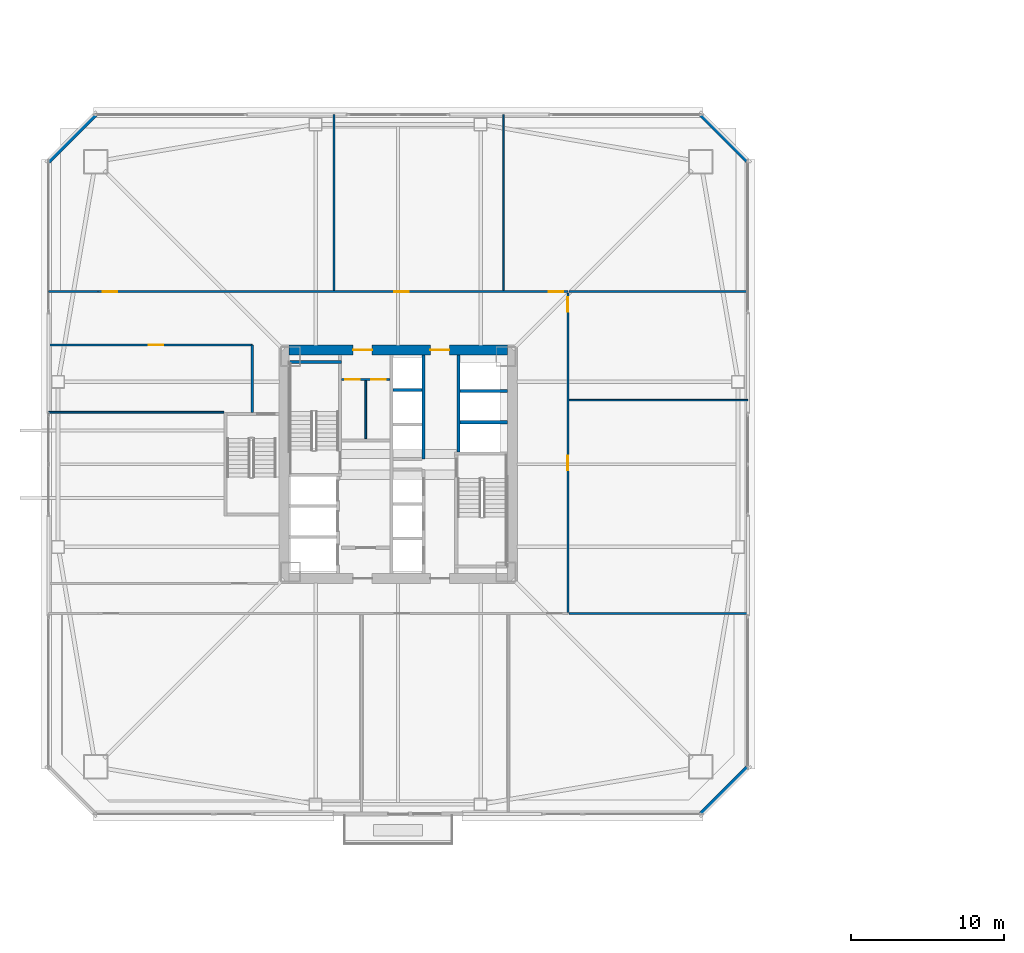
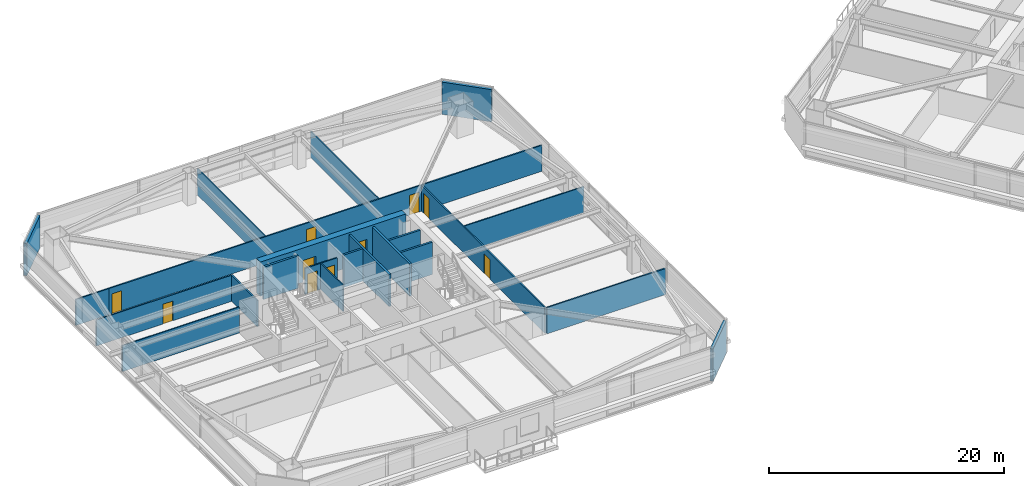
# One storey, part 35 of 46: 23 walls, 10 doors, 10 openings.
"""IFC4 building model written with IfcOpenShell, lengths in metres."""

from ifc_helpers import new_model, si_unit, direction, frame, frame_2d, origin, place, context, subcontext, project, spatial, rectangle, extrude, material, layer, layer_set, type_object, element, fill, save


model = new_model("IFC4")

# Units and contexts
model_context = context("Model", 3, precision=1e-05, world=origin(), true_north=direction((0.0, 1.0)))
body_context = subcontext(model_context, "Body", "Model", "MODEL_VIEW")
ifc_project = project(units=[si_unit("LENGTHUNIT", "METRE"), si_unit("AREAUNIT", "SQUARE_METRE"), si_unit("VOLUMEUNIT", "CUBIC_METRE"), si_unit("PLANEANGLEUNIT", "RADIAN"), si_unit("MASSUNIT", "GRAM", prefix="KILO")], contexts=[model_context])

# Site, building, storey
site_placement = place(None, origin())
site = spatial("IfcSite", under=ifc_project, at=site_placement, CompositionType="ELEMENT")
building_placement = place(site_placement, origin())
building = spatial("IfcBuilding", under=site, at=building_placement, Name="Tashvorn Skyway Center", CompositionType="ELEMENT")
storey_placement = place(building_placement, frame((0.0, 0.0, 38.800048828125)))
storey = spatial("IfcBuildingStorey", under=building, at=storey_placement, Name="L09", CompositionType="ELEMENT", Elevation=38.800048828125)

# Wall, openings, doors
ifc_material_1 = material(Name="Concrete C60/75", Category="concrete")
ifc_layer_1 = layer(ifc_material_1, 0.64990234375)
ifc_layer_set_1 = layer_set([ifc_layer_1], Name="Concrete C60/75")
wall_type_1 = type_object("IfcWallType", Name="WALL-CORE-650", PredefinedType="SHEAR", material=ifc_layer_set_1)
wall_1_placement = place(storey_placement, frame((34.85009765625, 39.47509765625, 0.0), z_axis=(0.0, 0.0, 1.0), x_axis=(1.0, 0.0, 0.0)))
wall_1 = element("IfcWall", 1, at=wall_1_placement, inside=storey, type_object=wall_type_1, Name="Tower 1 L09 North Core Shear Wall", PredefinedType="SHEAR", context=body_context, shape_type="SweptSolid", body=[
    extrude(rectangle(XDim=14.2998046875, YDim=0.64990234375, at=frame_2d((7.14990234375, 0.0))), origin(), (0.0, 0.0, 1.0), 3.550048828125),
])
opening_1_placement = place(wall_1_placement, frame((4.199951171875, 0.0, 0.0)))
opening_1 = element("IfcOpeningElement", 2, at=opening_1_placement, cuts=wall_1, Name="Opening D-FFL-1250", PredefinedType="OPENING", context=body_context, shape_type="SweptSolid", body=[
    extrude(rectangle(XDim=1.25, YDim=2.25, at=frame_2d((0.625, 1.125))), frame((0.0, 0.3349609375, 0.0), z_axis=(0.0, -1.0, 0.0), x_axis=(1.0, 0.0, 0.0)), (0.0, 0.0, 1.0), 0.669921875),
])
opening_2_placement = place(wall_1_placement, frame((9.25, 0.0, 0.0)))
opening_2 = element("IfcOpeningElement", 3, at=opening_2_placement, cuts=wall_1, Name="Opening D-FFL-1250", PredefinedType="OPENING", context=body_context, shape_type="SweptSolid", body=[
    extrude(rectangle(XDim=1.25, YDim=2.25, at=frame_2d((0.625, 1.125))), frame((0.0, 0.3349609375, 0.0), z_axis=(0.0, -1.0, 0.0), x_axis=(1.0, 0.0, 0.0)), (0.0, 0.0, 1.0), 0.669921875),
])
ifc_material_2 = material(Name="Hollow galvanized steel fire door assembly", Category="steel")
door_type_1 = type_object("IfcDoorType", Name="DOOR-FFL-1250", OperationType="NOTDEFINED", PredefinedType="DOOR", material=ifc_material_2)
door_1_placement = place(opening_1_placement, origin())
door_1 = element("IfcDoor", 4, at=door_1_placement, inside=storey, type_object=door_type_1, Name="Tower 1 L09 Core North Service Lobby Door", OperationType="SINGLE_SWING_LEFT", OverallHeight=2.25, OverallWidth=1.25, PredefinedType="DOOR", context=body_context, shape_type="SweptSolid", body=[
    extrude(rectangle(XDim=1.25, YDim=2.25, at=frame_2d((0.625, 1.125))), frame((0.0, 0.02490234375, 0.0), z_axis=(0.0, -1.0, 0.0), x_axis=(1.0, 0.0, 0.0)), (0.0, 0.0, 1.0), 0.050048828125),
])
fill(opening_1, door_1)
door_2_placement = place(opening_2_placement, origin())
door_2 = element("IfcDoor", 5, at=door_2_placement, inside=storey, type_object=door_type_1, Name="Tower 1 L09 Core North Lift Lobby Door", OperationType="SINGLE_SWING_RIGHT", OverallHeight=2.25, OverallWidth=1.25, PredefinedType="DOOR", context=body_context, shape_type="SweptSolid", body=[
    extrude(rectangle(XDim=1.25, YDim=2.25, at=frame_2d((0.625, 1.125))), frame((0.0, 0.02490234375, 0.0), z_axis=(0.0, -1.0, 0.0), x_axis=(1.0, 0.0, 0.0)), (0.0, 0.0, 1.0), 0.050048828125),
])
fill(opening_2, door_2)

# Walls
ifc_material_3 = material(Name="Precast concrete C40/50", Category="concrete")
ifc_layer_2 = layer(ifc_material_3, 0.280029296875)
ifc_layer_set_2 = layer_set([ifc_layer_2], Name="Precast concrete C40/50")
wall_type_2 = type_object("IfcWallType", Name="WALL-EXT-280", PredefinedType="SOLIDWALL", material=ifc_layer_set_2)
for number, where, z_axis, x_axis, name in (
    (6, (19.10009765625, 51.800048828125, 0.0), (0.0, 0.0, 1.0), (0.707106781187, 0.707106781187, 0.0), "Tower 1 L09 NW Precast Chamfer Wall"),
    (7, (61.800048828125, 54.89990234375, 0.0), (0.0, 0.0, 1.0), (0.707106781187, -0.707106781187, 0.0), "Tower 1 L09 NE Precast Chamfer Wall"),
    (8, (64.89990234375, 12.199951171875, 0.0), (0.0, 0.0, 1.0), (-0.707106781187, -0.707106781187, 0.0), "Tower 1 L09 SE Precast Chamfer Wall"),
):
    element("IfcWall", number, at=place(storey_placement, frame(where, z_axis=z_axis, x_axis=x_axis)), inside=storey, type_object=wall_type_2, Name=name, PredefinedType="SOLIDWALL", context=body_context, shape_type="SweptSolid", body=[
        extrude(rectangle(XDim=4.3837890625, YDim=0.280029296875, at=frame_2d((2.19189453125, 0.0))), origin(), (0.0, 0.0, 1.0), 3.349853515625),
    ])
ifc_material_4 = material(Name="Gypsum board on cold-formed steel stud framing", Category="steel")
ifc_layer_3 = layer(ifc_material_4, 0.110107421875)
ifc_layer_set_3 = layer_set([ifc_layer_3], Name="Gypsum board on cold-formed steel stud framing")
wall_type_3 = type_object("IfcWallType", Name="WALL-PART-110", PredefinedType="PARTITIONING", material=ifc_layer_set_3)
for number, where, z_axis, x_axis, name in (
    (9, (37.800048828125, 43.3798828125, 0.0), (0.0, 0.0, 1.0), (0.0, 1.0, 0.0), "Tower 1 L09 North Suite Partition 1"),
    (10, (48.89990234375, 43.3798828125, 0.0), (0.0, 0.0, 1.0), (0.0, 1.0, 0.0), "Tower 1 L09 North Suite Partition 2"),
):
    element("IfcWall", number, at=place(storey_placement, frame(where, z_axis=z_axis, x_axis=x_axis)), inside=storey, type_object=wall_type_3, Name=name, PredefinedType="PARTITIONING", context=body_context, shape_type="SweptSolid", body=[
        extrude(rectangle(XDim=11.5, YDim=0.110107421875, at=frame_2d((5.75, 0.0))), origin(), (0.0, 0.0, 1.0), 2.702880859375),
    ])
wall_2_placement = place(storey_placement, frame((53.179931640625, 36.199951171875, 0.0), z_axis=(0.0, 0.0, 1.0), x_axis=(1.0, 0.0, 0.0)))
element("IfcWall", 11, at=wall_2_placement, inside=storey, type_object=wall_type_3, Name="Tower 1 L09 East Suite Partition 1", PredefinedType="PARTITIONING", context=body_context, shape_type="SweptSolid", body=[
    extrude(rectangle(XDim=11.699951171875, YDim=0.110107421875, at=frame_2d((5.85009765625, 0.0))), origin(), (0.0, 0.0, 1.0), 2.702880859375),
])
wall_3_placement = place(storey_placement, frame((30.60009765625, 35.39990234375, 0.0), z_axis=(0.0, 0.0, 1.0), x_axis=(-1.0, 0.0, 0.0)))
element("IfcWall", 12, at=wall_3_placement, inside=storey, type_object=wall_type_3, Name="Tower 1 L09 West Suite Partition 1", PredefinedType="PARTITIONING", context=body_context, shape_type="SweptSolid", body=[
    extrude(rectangle(XDim=11.47998046875, YDim=0.110107421875, at=frame_2d((5.739990234375, 0.0))), origin(), (0.0, 0.0, 1.0), 2.702880859375),
])
ifc_layer_4 = layer(ifc_material_4, 0.135009765625)
ifc_layer_set_4 = layer_set([ifc_layer_4], Name="Gypsum board on cold-formed steel stud framing")
wall_type_4 = type_object("IfcWallType", Name="WALL-PART-135", PredefinedType="PARTITIONING", material=ifc_layer_set_4)
wall_4_placement = place(storey_placement, frame((32.449951171875, 35.39990234375, 0.0), z_axis=(0.0, 0.0, 1.0), x_axis=(0.0, 1.0, 0.0)))
element("IfcWall", 13, at=wall_4_placement, inside=storey, type_object=wall_type_4, Name="Tower 1 L09 Stair 3 Access Corridor Wall", PredefinedType="PARTITIONING", context=body_context, shape_type="SweptSolid", body=[
    extrude(rectangle(XDim=4.400146484375, YDim=0.135009765625, at=frame_2d((2.2001953125, 0.0))), origin(), (0.0, 0.0, 1.0), 2.702880859375),
])

# Wall, openings, doors
wall_5_placement = place(storey_placement, frame((22.35009765625, 43.300048828125, 0.0), z_axis=(0.0, 0.0, 1.0), x_axis=(1.0, 0.0, 0.0)))
wall_5 = element("IfcWall", 14, at=wall_5_placement, inside=storey, type_object=wall_type_4, Name="Tower 1 L09 North Suite Wall", PredefinedType="PARTITIONING", context=body_context, shape_type="SweptSolid", body=[
    extrude(rectangle(XDim=30.75, YDim=0.135009765625, at=frame_2d((15.375, 0.0))), origin(), (0.0, 0.0, 1.0), 2.702880859375),
])
opening_3_placement = place(wall_5_placement, frame((0.300048828125, 0.0, 0.0)))
opening_3 = element("IfcOpeningElement", 15, at=opening_3_placement, cuts=wall_5, Name="Opening D-INT-950", PredefinedType="OPENING", context=body_context, shape_type="SweptSolid", body=[
    extrude(rectangle(XDim=0.949951171875, YDim=2.050048828125, at=frame_2d((0.47509765625, 1.02490234375))), frame((0.0, 0.077392578125, 0.0), z_axis=(0.0, -1.0, 0.0), x_axis=(1.0, 0.0, 0.0)), (0.0, 0.0, 1.0), 0.155029296875),
])
opening_4_placement = place(wall_5_placement, frame((19.383056640625, 0.0, 0.0)))
opening_4 = element("IfcOpeningElement", 16, at=opening_4_placement, cuts=wall_5, Name="Opening D-INT-950", PredefinedType="OPENING", context=body_context, shape_type="SweptSolid", body=[
    extrude(rectangle(XDim=0.949951171875, YDim=2.050048828125, at=frame_2d((0.47509765625, 1.02490234375))), frame((0.0, 0.077392578125, 0.0), z_axis=(0.0, -1.0, 0.0), x_axis=(1.0, 0.0, 0.0)), (0.0, 0.0, 1.0), 0.155029296875),
])
opening_5_placement = place(wall_5_placement, frame((29.5, 0.0, 0.0)))
opening_5 = element("IfcOpeningElement", 17, at=opening_5_placement, cuts=wall_5, Name="Opening D-INT-950", PredefinedType="OPENING", context=body_context, shape_type="SweptSolid", body=[
    extrude(rectangle(XDim=0.949951171875, YDim=2.050048828125, at=frame_2d((0.47509765625, 1.02490234375))), frame((0.0, 0.077392578125, 0.0), z_axis=(0.0, -1.0, 0.0), x_axis=(1.0, 0.0, 0.0)), (0.0, 0.0, 1.0), 0.155029296875),
])
ifc_material_5 = material(Name="Solid-core architectural oak veneer door")
door_type_2 = type_object("IfcDoorType", Name="DOOR-INT-950", OperationType="NOTDEFINED", PredefinedType="DOOR", material=ifc_material_5)
door_3_placement = place(opening_3_placement, origin())
door_3 = element("IfcDoor", 18, at=door_3_placement, inside=storey, type_object=door_type_2, Name="Tower 1 L09 Operations Control Room Door", OperationType="SINGLE_SWING_RIGHT", OverallHeight=2.050048828125, OverallWidth=0.949951171875, PredefinedType="DOOR", context=body_context, shape_type="SweptSolid", body=[
    extrude(rectangle(XDim=0.949951171875, YDim=2.050048828125, at=frame_2d((0.47509765625, 1.02490234375))), frame((0.0, 0.02490234375, 0.0), z_axis=(0.0, -1.0, 0.0), x_axis=(1.0, 0.0, 0.0)), (0.0, 0.0, 1.0), 0.050048828125),
])
fill(opening_3, door_3)
door_4_placement = place(opening_4_placement, origin())
door_4 = element("IfcDoor", 19, at=door_4_placement, inside=storey, type_object=door_type_2, Name="Tower 1 L09 Operations Control Room Door", OperationType="SINGLE_SWING_LEFT", OverallHeight=2.050048828125, OverallWidth=0.949951171875, PredefinedType="DOOR", context=body_context, shape_type="SweptSolid", body=[
    extrude(rectangle(XDim=0.949951171875, YDim=2.050048828125, at=frame_2d((0.47509765625, 1.02490234375))), frame((0.0, 0.02490234375, 0.0), z_axis=(0.0, -1.0, 0.0), x_axis=(1.0, 0.0, 0.0)), (0.0, 0.0, 1.0), 0.050048828125),
])
fill(opening_4, door_4)
door_5_placement = place(opening_5_placement, origin())
door_5 = element("IfcDoor", 20, at=door_5_placement, inside=storey, type_object=door_type_2, Name="Tower 1 L09 Security Control Room Door", OperationType="SINGLE_SWING_RIGHT", OverallHeight=2.050048828125, OverallWidth=0.949951171875, PredefinedType="DOOR", context=body_context, shape_type="SweptSolid", body=[
    extrude(rectangle(XDim=0.949951171875, YDim=2.050048828125, at=frame_2d((0.47509765625, 1.02490234375))), frame((0.0, 0.02490234375, 0.0), z_axis=(0.0, -1.0, 0.0), x_axis=(1.0, 0.0, 0.0)), (0.0, 0.0, 1.0), 0.050048828125),
])
fill(opening_5, door_5)

# Wall
wall_6_placement = place(storey_placement, frame((19.1201171875, 43.300048828125, 0.0), z_axis=(0.0, 0.0, 1.0), x_axis=(1.0, 0.0, 0.0)))
element("IfcWall", 21, at=wall_6_placement, inside=storey, type_object=wall_type_4, Name="Tower 1 L09 North-West Suite South Wall", PredefinedType="PARTITIONING", context=body_context, shape_type="SweptSolid", body=[
    extrude(rectangle(XDim=3.22998046875, YDim=0.135009765625, at=frame_2d((1.614990234375, 0.0))), origin(), (0.0, 0.0, 1.0), 2.702880859375),
])

# Wall, openings, doors
wall_7_placement = place(storey_placement, frame((53.10009765625, 43.219970703125, 0.0), z_axis=(0.0, 0.0, 1.0), x_axis=(0.0, -1.0, 0.0)))
wall_7 = element("IfcWall", 22, at=wall_7_placement, inside=storey, type_object=wall_type_4, Name="Tower 1 L09 East Inner Suite Wall", PredefinedType="PARTITIONING", context=body_context, shape_type="SweptSolid", body=[
    extrude(rectangle(XDim=20.909912109375, YDim=0.135009765625, at=frame_2d((10.455078125, 0.0))), origin(), (0.0, 0.0, 1.0), 2.702880859375),
])
opening_6_placement = place(wall_7_placement, frame((10.652587890625, 0.0, 0.0)))
opening_6 = element("IfcOpeningElement", 23, at=opening_6_placement, cuts=wall_7, Name="Opening D-INT-950", PredefinedType="OPENING", context=body_context, shape_type="SweptSolid", body=[
    extrude(rectangle(XDim=0.949951171875, YDim=2.050048828125, at=frame_2d((0.47509765625, 1.02490234375))), frame((0.0, 0.077392578125, 0.0), z_axis=(0.0, -1.0, 0.0), x_axis=(1.0, 0.0, 0.0)), (0.0, 0.0, 1.0), 0.155029296875),
])
opening_7_placement = place(wall_7_placement, frame((0.300048828125, 0.0, 0.0)))
opening_7 = element("IfcOpeningElement", 24, at=opening_7_placement, cuts=wall_7, Name="Opening D-INT-950", PredefinedType="OPENING", context=body_context, shape_type="SweptSolid", body=[
    extrude(rectangle(XDim=0.949951171875, YDim=2.050048828125, at=frame_2d((0.47509765625, 1.02490234375))), frame((0.0, 0.077392578125, 0.0), z_axis=(0.0, -1.0, 0.0), x_axis=(1.0, 0.0, 0.0)), (0.0, 0.0, 1.0), 0.155029296875),
])
door_6_placement = place(opening_6_placement, origin())
door_6 = element("IfcDoor", 25, at=door_6_placement, inside=storey, type_object=door_type_2, Name="Tower 1 L09 Wellness Clinic Door", OperationType="SINGLE_SWING_RIGHT", OverallHeight=2.050048828125, OverallWidth=0.949951171875, PredefinedType="DOOR", context=body_context, shape_type="SweptSolid", body=[
    extrude(rectangle(XDim=0.949951171875, YDim=2.050048828125, at=frame_2d((0.47509765625, 1.02490234375))), frame((0.0, 0.02490234375, 0.0), z_axis=(0.0, -1.0, 0.0), x_axis=(1.0, 0.0, 0.0)), (0.0, 0.0, 1.0), 0.050048828125),
])
fill(opening_6, door_6)
door_7_placement = place(opening_7_placement, origin())
door_7 = element("IfcDoor", 26, at=door_7_placement, inside=storey, type_object=door_type_2, Name="Tower 1 L09 Public Restroom Door", OperationType="SINGLE_SWING_LEFT", OverallHeight=2.050048828125, OverallWidth=0.949951171875, PredefinedType="DOOR", context=body_context, shape_type="SweptSolid", body=[
    extrude(rectangle(XDim=0.949951171875, YDim=2.050048828125, at=frame_2d((0.47509765625, 1.02490234375))), frame((0.0, 0.02490234375, 0.0), z_axis=(0.0, -1.0, 0.0), x_axis=(1.0, 0.0, 0.0)), (0.0, 0.0, 1.0), 0.050048828125),
])
fill(opening_7, door_7)

# Walls
for number, where, z_axis, x_axis, name in (
    (27, (64.8798828125, 43.300048828125, 0.0), (0.0, 0.0, 1.0), (-1.0, 0.0, 0.0), "Tower 1 L09 East Suite North Wall"),
    (28, (53.179931640625, 22.22998046875, 0.0), (0.0, 0.0, 1.0), (1.0, 0.0, 0.0), "Tower 1 L09 East Suite South Wall"),
):
    element("IfcWall", number, at=place(storey_placement, frame(where, z_axis=z_axis, x_axis=x_axis)), inside=storey, type_object=wall_type_4, Name=name, PredefinedType="PARTITIONING", context=body_context, shape_type="SweptSolid", body=[
        extrude(rectangle(XDim=11.699951171875, YDim=0.135009765625, at=frame_2d((5.85009765625, 0.0))), origin(), (0.0, 0.0, 1.0), 2.702880859375),
    ])

# Wall, opening, door
wall_8_placement = place(storey_placement, frame((32.449951171875, 39.800048828125, 0.0), z_axis=(0.0, 0.0, 1.0), x_axis=(-1.0, 0.0, 0.0)))
wall_8 = element("IfcWall", 29, at=wall_8_placement, inside=storey, type_object=wall_type_4, Name="Tower 1 L09 West Suite North Wall", PredefinedType="PARTITIONING", context=body_context, shape_type="SweptSolid", body=[
    extrude(rectangle(XDim=13.329833984375, YDim=0.135009765625, at=frame_2d((6.6650390625, 0.0))), origin(), (0.0, 0.0, 1.0), 2.702880859375),
])
opening_8_placement = place(wall_8_placement, frame((5.840087890625, 0.0, 0.0)))
opening_8 = element("IfcOpeningElement", 30, at=opening_8_placement, cuts=wall_8, Name="Opening D-INT-950", PredefinedType="OPENING", context=body_context, shape_type="SweptSolid", body=[
    extrude(rectangle(XDim=0.949951171875, YDim=2.050048828125, at=frame_2d((0.47509765625, 1.02490234375))), frame((0.0, 0.077392578125, 0.0), z_axis=(0.0, -1.0, 0.0), x_axis=(1.0, 0.0, 0.0)), (0.0, 0.0, 1.0), 0.155029296875),
])
door_8_placement = place(opening_8_placement, origin())
door_8 = element("IfcDoor", 31, at=door_8_placement, inside=storey, type_object=door_type_2, Name="Tower 1 L09 Boardroom Door", OperationType="SINGLE_SWING_RIGHT", OverallHeight=2.050048828125, OverallWidth=0.949951171875, PredefinedType="DOOR", context=body_context, shape_type="SweptSolid", body=[
    extrude(rectangle(XDim=0.949951171875, YDim=2.050048828125, at=frame_2d((0.47509765625, 1.02490234375))), frame((0.0, 0.02490234375, 0.0), z_axis=(0.0, -1.0, 0.0), x_axis=(1.0, 0.0, 0.0)), (0.0, 0.0, 1.0), 0.050048828125),
])
fill(opening_8, door_8)

# Wall
ifc_layer_5 = layer(ifc_material_4, 0.110107421875)
ifc_layer_set_5 = layer_set([ifc_layer_5], Name="Gypsum board on cold-formed steel stud framing")
wall_type_5 = type_object("IfcWallType", Name="WALL-RATED-110", PredefinedType="PARTITIONING", material=ifc_layer_set_5)
wall_9_placement = place(storey_placement, frame((39.8798828125, 33.679931640625, 0.0), z_axis=(0.0, 0.0, 1.0), x_axis=(0.0, 1.0, 0.0)))
element("IfcWall", 32, at=wall_9_placement, inside=storey, type_object=wall_type_5, Name="Tower 1 L09 Core Split Partition", PredefinedType="PARTITIONING", context=body_context, shape_type="SweptSolid", body=[
    extrude(rectangle(XDim=3.800048828125, YDim=0.110107421875, at=frame_2d((1.89990234375, 0.0))), origin(), (0.0, 0.0, 1.0), 2.702880859375),
])

# Wall, openings, doors
ifc_layer_6 = layer(ifc_material_4, 0.135009765625)
ifc_layer_set_6 = layer_set([ifc_layer_6], Name="Gypsum board on cold-formed steel stud framing")
wall_type_6 = type_object("IfcWallType", Name="WALL-RATED-135", PredefinedType="PARTITIONING", material=ifc_layer_set_6)
wall_10_placement = place(storey_placement, frame((38.300048828125, 37.550048828125, 0.0), z_axis=(0.0, 0.0, 1.0), x_axis=(1.0, 0.0, 0.0)))
wall_10 = element("IfcWall", 33, at=wall_10_placement, inside=storey, type_object=wall_type_6, Name="Tower 1 L09 Core Service Lobby Wall", PredefinedType="PARTITIONING", context=body_context, shape_type="SweptSolid", body=[
    extrude(rectangle(XDim=3.14990234375, YDim=0.135009765625, at=frame_2d((1.574951171875, 0.0))), origin(), (0.0, 0.0, 1.0), 2.702880859375),
])
opening_9_placement = place(wall_10_placement, frame((0.25, 0.0, 0.0)))
opening_9 = element("IfcOpeningElement", 34, at=opening_9_placement, cuts=wall_10, Name="Opening D-RT-950", PredefinedType="OPENING", context=body_context, shape_type="SweptSolid", body=[
    extrude(rectangle(XDim=0.949951171875, YDim=2.050048828125, at=frame_2d((0.47509765625, 1.02490234375))), frame((0.0, 0.077392578125, 0.0), z_axis=(0.0, -1.0, 0.0), x_axis=(1.0, 0.0, 0.0)), (0.0, 0.0, 1.0), 0.155029296875),
])
opening_10_placement = place(wall_10_placement, frame((1.949951171875, 0.0, 0.0)))
opening_10 = element("IfcOpeningElement", 35, at=opening_10_placement, cuts=wall_10, Name="Opening D-RT-950", PredefinedType="OPENING", context=body_context, shape_type="SweptSolid", body=[
    extrude(rectangle(XDim=0.949951171875, YDim=2.050048828125, at=frame_2d((0.47509765625, 1.02490234375))), frame((0.0, 0.077392578125, 0.0), z_axis=(0.0, -1.0, 0.0), x_axis=(1.0, 0.0, 0.0)), (0.0, 0.0, 1.0), 0.155029296875),
])
door_type_3 = type_object("IfcDoorType", Name="DOOR-RATED-950", OperationType="NOTDEFINED", PredefinedType="DOOR", material=ifc_material_2)
door_9_placement = place(opening_9_placement, origin())
door_9 = element("IfcDoor", 36, at=door_9_placement, inside=storey, type_object=door_type_3, Name="Tower 1 L09 Core Accessible WC Door", OperationType="SINGLE_SWING_LEFT", OverallHeight=2.050048828125, OverallWidth=0.949951171875, PredefinedType="DOOR", context=body_context, shape_type="SweptSolid", body=[
    extrude(rectangle(XDim=0.949951171875, YDim=2.050048828125, at=frame_2d((0.47509765625, 1.02490234375))), frame((0.0, 0.02490234375, 0.0), z_axis=(0.0, -1.0, 0.0), x_axis=(1.0, 0.0, 0.0)), (0.0, 0.0, 1.0), 0.050048828125),
])
fill(opening_9, door_9)
door_10_placement = place(opening_10_placement, origin())
door_10 = element("IfcDoor", 37, at=door_10_placement, inside=storey, type_object=door_type_3, Name="Tower 1 L09 Core Cleaner Store Door", OperationType="SINGLE_SWING_RIGHT", OverallHeight=2.050048828125, OverallWidth=0.949951171875, PredefinedType="DOOR", context=body_context, shape_type="SweptSolid", body=[
    extrude(rectangle(XDim=0.949951171875, YDim=2.050048828125, at=frame_2d((0.47509765625, 1.02490234375))), frame((0.0, 0.02490234375, 0.0), z_axis=(0.0, -1.0, 0.0), x_axis=(1.0, 0.0, 0.0)), (0.0, 0.0, 1.0), 0.050048828125),
])
fill(opening_10, door_10)

# Walls
ifc_material_6 = material(Name="Concrete C40/50", Category="concrete")
ifc_layer_7 = layer(ifc_material_6, 0.199951171875)
ifc_layer_set_7 = layer_set([ifc_layer_7], Name="Concrete C40/50")
wall_type_7 = type_object("IfcWallType", Name="WALL-SHAFT-200", PredefinedType="SOLIDWALL", material=ifc_layer_set_7)
for number, where, z_axis, x_axis, name in (
    (38, (46.050048828125, 34.75, 0.0), (0.0, 0.0, 1.0), (1.0, 0.0, 0.0), "Tower 1 L09 High-Rise Shaft Divider"),
    (39, (46.050048828125, 36.800048828125, 0.0), (0.0, 0.0, 1.0), (1.0, 0.0, 0.0), "Tower 1 L09 High-Rise Shaft Divider"),
):
    element("IfcWall", number, at=place(storey_placement, frame(where, z_axis=z_axis, x_axis=x_axis)), inside=storey, type_object=wall_type_7, Name=name, PredefinedType="SOLIDWALL", context=body_context, shape_type="SweptSolid", body=[
        extrude(rectangle(XDim=3.099853515625, YDim=0.199951171875, at=frame_2d((1.5498046875, 0.0))), origin(), (0.0, 0.0, 1.0), 3.349853515625),
    ])
wall_11_placement = place(storey_placement, frame((43.64990234375, 32.35009765625, 0.0), z_axis=(0.0, 0.0, 1.0), x_axis=(0.0, 1.0, 0.0)))
element("IfcWall", 40, at=wall_11_placement, inside=storey, type_object=wall_type_7, Name="Tower 1 L09 Mid-Rise Core Wall", PredefinedType="SOLIDWALL", context=body_context, shape_type="SweptSolid", body=[
    extrude(rectangle(XDim=6.7998046875, YDim=0.199951171875, at=frame_2d((3.39990234375, 0.0))), origin(), (0.0, 0.0, 1.0), 3.349853515625),
])
wall_12_placement = place(storey_placement, frame((41.669921875, 36.85009765625, 0.0), z_axis=(0.0, 0.0, 1.0), x_axis=(1.0, 0.0, 0.0)))
element("IfcWall", 41, at=wall_12_placement, inside=storey, type_object=wall_type_7, Name="Tower 1 L09 Mid-Rise Shaft Divider", PredefinedType="SOLIDWALL", context=body_context, shape_type="SweptSolid", body=[
    extrude(rectangle(XDim=1.880126953125, YDim=0.199951171875, at=frame_2d((0.93994140625, 0.0))), origin(), (0.0, 0.0, 1.0), 3.349853515625),
])
ifc_layer_8 = layer(ifc_material_6, 0.199951171875)
ifc_layer_set_8 = layer_set([ifc_layer_8], Name="Concrete C40/50")
wall_type_8 = type_object("IfcWallType", Name="WALL-STSHF-200", PredefinedType="SHEAR", material=ifc_layer_set_8)
wall_13_placement = place(storey_placement, frame((34.85009765625, 38.699951171875, 0.0), z_axis=(0.0, 0.0, 1.0), x_axis=(1.0, 0.0, 0.0)))
element("IfcWall", 42, at=wall_13_placement, inside=storey, type_object=wall_type_8, Name="Tower 1 L09 Stair 1 North Wall", PredefinedType="SHEAR", context=body_context, shape_type="SweptSolid", body=[
    extrude(rectangle(XDim=3.449951171875, YDim=0.199951171875, at=frame_2d((1.72509765625, 0.0))), origin(), (0.0, 0.0, 1.0), 3.349853515625),
])
wall_14_placement = place(storey_placement, frame((45.949951171875, 39.14990234375, 0.0), z_axis=(0.0, 0.0, 1.0), x_axis=(0.0, -1.0, 0.0)))
element("IfcWall", 43, at=wall_14_placement, inside=storey, type_object=wall_type_8, Name="Tower 1 L09 High-Rise Lift Shaft Front Wall", PredefinedType="SHEAR", context=body_context, shape_type="SweptSolid", body=[
    extrude(rectangle(XDim=6.349853515625, YDim=0.199951171875, at=frame_2d((3.1748046875, 0.0))), origin(), (0.0, 0.0, 1.0), 3.349853515625),
])

save(model, "model.ifc")
